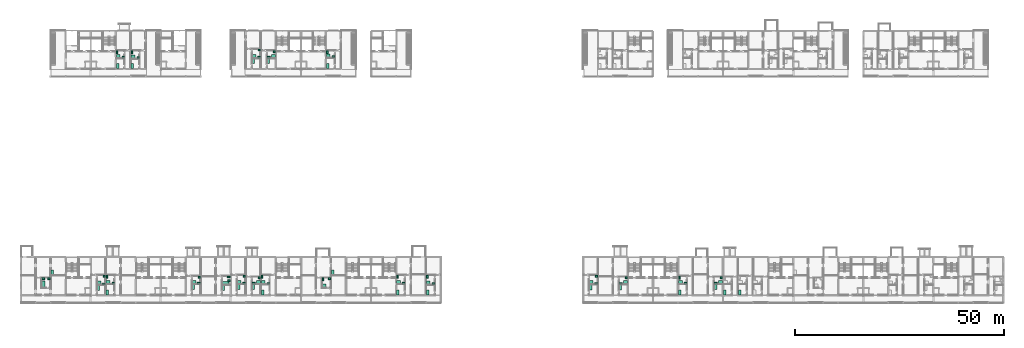
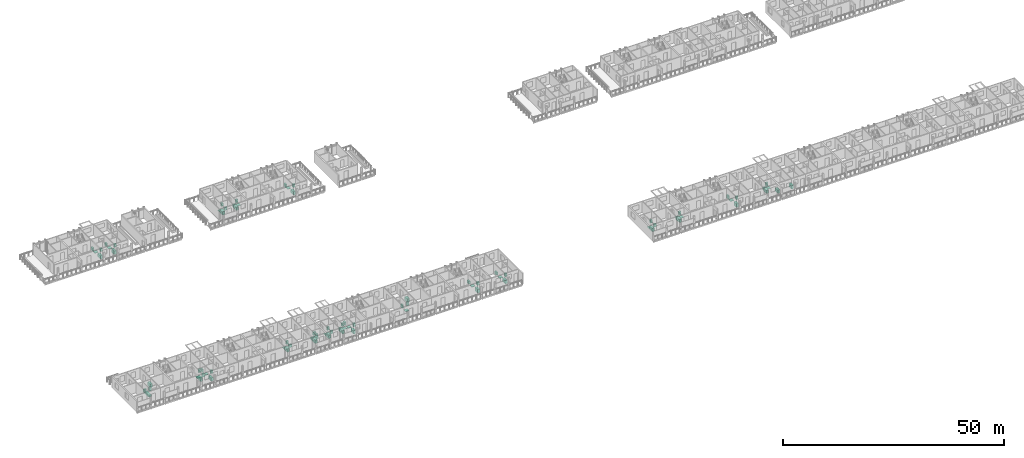
# One storey, part 93 of 94: 82 sanitary terminals.
"""IFC4 building model written with IfcOpenShell, lengths in metres."""

from ifc_helpers import new_model, si_unit, direction, frame, origin, origin_2d, place, context, subcontext, project, spatial, rectangle, extrude, element, save


model = new_model("IFC4")

# Units and contexts
model_context = context("Model", 3, precision=1e-05, world=origin(), true_north=direction((0.0, 1.0)))
body_context = subcontext(model_context, "Body", "Model", "MODEL_VIEW")
ifc_project = project(units=[si_unit("LENGTHUNIT", "METRE"), si_unit("AREAUNIT", "SQUARE_METRE"), si_unit("VOLUMEUNIT", "CUBIC_METRE"), si_unit("PLANEANGLEUNIT", "RADIAN"), si_unit("MASSUNIT", "GRAM", prefix="KILO")], contexts=[model_context])

# Site, building, storey
site_placement = place(None, origin())
site = spatial("IfcSite", under=ifc_project, at=site_placement, CompositionType="ELEMENT")
building_placement = place(site_placement, origin())
building = spatial("IfcBuilding", under=site, at=building_placement, Name="Ridgestep Commons", CompositionType="ELEMENT")
storey_placement = place(building_placement, frame((0.0, 0.0, 24.0)))
storey = spatial("IfcBuildingStorey", under=building, at=storey_placement, Name="L08", CompositionType="ELEMENT", Elevation=24.0)

# Sanitary terminals
sanitary_terminal_1_placement = place(storey_placement, frame((17.485107421875, 16.260009765625, 0.0), z_axis=(0.0, 0.0, 1.0), x_axis=(1.0, 0.0, 0.0)))
element("IfcSanitaryTerminal", 1, at=sanitary_terminal_1_placement, inside=storey, Name="Bath A1-08a", PredefinedType="BATH", context=body_context, shape_type="SweptSolid", body=[
    extrude(rectangle(XDim=0.75, YDim=1.699951171875, at=origin_2d()), origin(), (0.0, 0.0, 1.0), 0.550048828125),
])
sanitary_terminal_2_placement = place(storey_placement, frame((17.4599609375, 17.610107421875, 0.0), z_axis=(0.0, 0.0, 1.0), x_axis=(1.0, 0.0, 0.0)))
element("IfcSanitaryTerminal", 2, at=sanitary_terminal_2_placement, inside=storey, Name="WC A1-08a", PredefinedType="TOILETPAN", context=body_context, shape_type="SweptSolid", body=[
    extrude(rectangle(XDim=0.699951171875, YDim=0.39990234375, at=origin_2d()), origin(), (0.0, 0.0, 1.0), 0.800048828125),
])
sanitary_terminal_3_placement = place(storey_placement, frame((18.824951171875, 17.5849609375, 0.0), z_axis=(0.0, 0.0, 1.0), x_axis=(1.0, 0.0, 0.0)))
element("IfcSanitaryTerminal", 3, at=sanitary_terminal_3_placement, inside=storey, Name="Basin A1-08a", PredefinedType="WASHHANDBASIN", context=body_context, shape_type="SweptSolid", body=[
    extrude(rectangle(XDim=0.550048828125, YDim=0.449951171875, at=origin_2d()), origin(), (0.0, 0.0, 1.0), 0.85009765625),
])
sanitary_terminal_4_placement = place(storey_placement, frame((19.60009765625, 19.06005859375, 0.0), z_axis=(0.0, 0.0, 1.0), x_axis=(1.0, 0.0, 0.0)))
element("IfcSanitaryTerminal", 4, at=sanitary_terminal_4_placement, inside=storey, Name="Kitchen sink A1-08a", PredefinedType="SINK", context=body_context, shape_type="SweptSolid", body=[
    extrude(rectangle(XDim=0.60009765625, YDim=1.199951171875, at=origin_2d()), origin(), (0.0, 0.0, 1.0), 0.89990234375),
])
sanitary_terminal_5_placement = place(storey_placement, frame((30.81005859375, 16.610107421875, 0.0), z_axis=(0.0, 0.0, 1.0), x_axis=(1.0, 0.0, 0.0)))
element("IfcSanitaryTerminal", 5, at=sanitary_terminal_5_placement, inside=storey, Name="Shower tray A2-08a", PredefinedType="SHOWER", context=body_context, shape_type="SweptSolid", body=[
    extrude(rectangle(XDim=0.89990234375, YDim=0.89990234375, at=origin_2d()), origin(), (0.0, 0.0, 1.0), 0.10009765625),
])
sanitary_terminal_6_placement = place(storey_placement, frame((31.949951171875, 16.360107421875, 0.0), z_axis=(0.0, 0.0, 1.0), x_axis=(1.0, 0.0, 0.0)))
element("IfcSanitaryTerminal", 6, at=sanitary_terminal_6_placement, inside=storey, Name="WC A2-08a", PredefinedType="TOILETPAN", context=body_context, shape_type="SweptSolid", body=[
    extrude(rectangle(XDim=0.699951171875, YDim=0.39990234375, at=origin_2d()), origin(), (0.0, 0.0, 1.0), 0.800048828125),
])
sanitary_terminal_7_placement = place(storey_placement, frame((32.02490234375, 18.22509765625, 0.0), z_axis=(0.0, 0.0, 1.0), x_axis=(1.0, 0.0, 0.0)))
element("IfcSanitaryTerminal", 7, at=sanitary_terminal_7_placement, inside=storey, Name="Basin A2-08a", PredefinedType="WASHHANDBASIN", context=body_context, shape_type="SweptSolid", body=[
    extrude(rectangle(XDim=0.550048828125, YDim=0.449951171875, at=origin_2d()), origin(), (0.0, 0.0, 1.0), 0.85009765625),
])
sanitary_terminal_8_placement = place(storey_placement, frame((30.659912109375, 15.449951171875, 0.0), z_axis=(0.0, 0.0, 1.0), x_axis=(1.0, 0.0, 0.0)))
element("IfcSanitaryTerminal", 8, at=sanitary_terminal_8_placement, inside=storey, Name="Kitchen sink A2-08a", PredefinedType="SINK", context=body_context, shape_type="SweptSolid", body=[
    extrude(rectangle(XDim=0.60009765625, YDim=1.199951171875, at=origin_2d()), origin(), (0.0, 0.0, 1.0), 0.89990234375),
])
sanitary_terminal_9_placement = place(storey_placement, frame((32.949951171875, 16.81005859375, 0.0), z_axis=(0.0, 0.0, 1.0), x_axis=(1.0, 0.0, 0.0)))
element("IfcSanitaryTerminal", 9, at=sanitary_terminal_9_placement, inside=storey, Name="Shower tray A2-08b", PredefinedType="SHOWER", context=body_context, shape_type="SweptSolid", body=[
    extrude(rectangle(XDim=0.89990234375, YDim=0.89990234375, at=origin_2d()), origin(), (0.0, 0.0, 1.0), 0.10009765625),
])
sanitary_terminal_10_placement = place(storey_placement, frame((32.699951171875, 18.10009765625, 0.0), z_axis=(0.0, 0.0, 1.0), x_axis=(1.0, 0.0, 0.0)))
element("IfcSanitaryTerminal", 10, at=sanitary_terminal_10_placement, inside=storey, Name="WC A2-08b", PredefinedType="TOILETPAN", context=body_context, shape_type="SweptSolid", body=[
    extrude(rectangle(XDim=0.39990234375, YDim=0.699951171875, at=origin_2d()), origin(), (0.0, 0.0, 1.0), 0.800048828125),
])
sanitary_terminal_11_placement = place(storey_placement, frame((34.215087890625, 16.5849609375, 0.0), z_axis=(0.0, 0.0, 1.0), x_axis=(1.0, 0.0, 0.0)))
element("IfcSanitaryTerminal", 11, at=sanitary_terminal_11_placement, inside=storey, Name="Basin A2-08b", PredefinedType="WASHHANDBASIN", context=body_context, shape_type="SweptSolid", body=[
    extrude(rectangle(XDim=0.550048828125, YDim=0.449951171875, at=origin_2d()), origin(), (0.0, 0.0, 1.0), 0.85009765625),
])
sanitary_terminal_12_placement = place(storey_placement, frame((32.800048828125, 14.35009765625, 0.0), z_axis=(0.0, 0.0, 1.0), x_axis=(1.0, 0.0, 0.0)))
element("IfcSanitaryTerminal", 12, at=sanitary_terminal_12_placement, inside=storey, Name="Kitchen sink A2-08b", PredefinedType="SINK", context=body_context, shape_type="SweptSolid", body=[
    extrude(rectangle(XDim=0.60009765625, YDim=1.199951171875, at=origin_2d()), origin(), (0.0, 0.0, 1.0), 0.89990234375),
])
sanitary_terminal_13_placement = place(storey_placement, frame((61.159912109375, 16.534912109375, 0.0), z_axis=(0.0, 0.0, 1.0), x_axis=(1.0, 0.0, 0.0)))
element("IfcSanitaryTerminal", 13, at=sanitary_terminal_13_placement, inside=storey, Name="Bath A3-08a", PredefinedType="BATH", context=body_context, shape_type="SweptSolid", body=[
    extrude(rectangle(XDim=1.699951171875, YDim=0.75, at=origin_2d()), origin(), (0.0, 0.0, 1.0), 0.550048828125),
])
sanitary_terminal_14_placement = place(storey_placement, frame((61.89990234375, 18.050048828125, 0.0), z_axis=(0.0, 0.0, 1.0), x_axis=(1.0, 0.0, 0.0)))
element("IfcSanitaryTerminal", 14, at=sanitary_terminal_14_placement, inside=storey, Name="WC A3-08a", PredefinedType="TOILETPAN", context=body_context, shape_type="SweptSolid", body=[
    extrude(rectangle(XDim=0.699951171875, YDim=0.39990234375, at=origin_2d()), origin(), (0.0, 0.0, 1.0), 0.800048828125),
])
sanitary_terminal_15_placement = place(storey_placement, frame((61.97509765625, 17.18505859375, 0.0), z_axis=(0.0, 0.0, 1.0), x_axis=(1.0, 0.0, 0.0)))
element("IfcSanitaryTerminal", 15, at=sanitary_terminal_15_placement, inside=storey, Name="Basin A3-08a", PredefinedType="WASHHANDBASIN", context=body_context, shape_type="SweptSolid", body=[
    extrude(rectangle(XDim=0.550048828125, YDim=0.449951171875, at=origin_2d()), origin(), (0.0, 0.0, 1.0), 0.85009765625),
])
sanitary_terminal_16_placement = place(storey_placement, frame((60.610107421875, 15.449951171875, 0.0), z_axis=(0.0, 0.0, 1.0), x_axis=(1.0, 0.0, 0.0)))
element("IfcSanitaryTerminal", 16, at=sanitary_terminal_16_placement, inside=storey, Name="Kitchen sink A3-08a", PredefinedType="SINK", context=body_context, shape_type="SweptSolid", body=[
    extrude(rectangle(XDim=0.60009765625, YDim=1.199951171875, at=origin_2d()), origin(), (0.0, 0.0, 1.0), 0.89990234375),
])
sanitary_terminal_17_placement = place(storey_placement, frame((53.5849609375, 16.81005859375, 0.0), z_axis=(0.0, 0.0, 1.0), x_axis=(1.0, 0.0, 0.0)))
element("IfcSanitaryTerminal", 17, at=sanitary_terminal_17_placement, inside=storey, Name="Shower tray A3-08b", PredefinedType="SHOWER", context=body_context, shape_type="SweptSolid", body=[
    extrude(rectangle(XDim=0.89990234375, YDim=0.89990234375, at=origin_2d()), origin(), (0.0, 0.0, 1.0), 0.10009765625),
])
sanitary_terminal_18_placement = place(storey_placement, frame((54.75, 16.56005859375, 0.0), z_axis=(0.0, 0.0, 1.0), x_axis=(1.0, 0.0, 0.0)))
element("IfcSanitaryTerminal", 18, at=sanitary_terminal_18_placement, inside=storey, Name="WC A3-08b", PredefinedType="TOILETPAN", context=body_context, shape_type="SweptSolid", body=[
    extrude(rectangle(XDim=0.699951171875, YDim=0.39990234375, at=origin_2d()), origin(), (0.0, 0.0, 1.0), 0.800048828125),
])
sanitary_terminal_19_placement = place(storey_placement, frame((54.824951171875, 18.02490234375, 0.0), z_axis=(0.0, 0.0, 1.0), x_axis=(1.0, 0.0, 0.0)))
element("IfcSanitaryTerminal", 19, at=sanitary_terminal_19_placement, inside=storey, Name="Basin A3-08b", PredefinedType="WASHHANDBASIN", context=body_context, shape_type="SweptSolid", body=[
    extrude(rectangle(XDim=0.550048828125, YDim=0.449951171875, at=origin_2d()), origin(), (0.0, 0.0, 1.0), 0.85009765625),
])
sanitary_terminal_20_placement = place(storey_placement, frame((53.43505859375, 15.64990234375, 0.0), z_axis=(0.0, 0.0, 1.0), x_axis=(1.0, 0.0, 0.0)))
element("IfcSanitaryTerminal", 20, at=sanitary_terminal_20_placement, inside=storey, Name="Kitchen sink A3-08b", PredefinedType="SINK", context=body_context, shape_type="SweptSolid", body=[
    extrude(rectangle(XDim=0.60009765625, YDim=1.199951171875, at=origin_2d()), origin(), (0.0, 0.0, 1.0), 0.89990234375),
])
sanitary_terminal_21_placement = place(storey_placement, frame((64.409912109375, 16.81005859375, 0.0), z_axis=(0.0, 0.0, 1.0), x_axis=(1.0, 0.0, 0.0)))
element("IfcSanitaryTerminal", 21, at=sanitary_terminal_21_placement, inside=storey, Name="Shower tray A4-08a", PredefinedType="SHOWER", context=body_context, shape_type="SweptSolid", body=[
    extrude(rectangle(XDim=0.89990234375, YDim=0.89990234375, at=origin_2d()), origin(), (0.0, 0.0, 1.0), 0.10009765625),
])
sanitary_terminal_22_placement = place(storey_placement, frame((65.550048828125, 16.56005859375, 0.0), z_axis=(0.0, 0.0, 1.0), x_axis=(1.0, 0.0, 0.0)))
element("IfcSanitaryTerminal", 22, at=sanitary_terminal_22_placement, inside=storey, Name="WC A4-08a", PredefinedType="TOILETPAN", context=body_context, shape_type="SweptSolid", body=[
    extrude(rectangle(XDim=0.699951171875, YDim=0.39990234375, at=origin_2d()), origin(), (0.0, 0.0, 1.0), 0.800048828125),
])
sanitary_terminal_23_placement = place(storey_placement, frame((65.625, 18.22509765625, 0.0), z_axis=(0.0, 0.0, 1.0), x_axis=(1.0, 0.0, 0.0)))
element("IfcSanitaryTerminal", 23, at=sanitary_terminal_23_placement, inside=storey, Name="Basin A4-08a", PredefinedType="WASHHANDBASIN", context=body_context, shape_type="SweptSolid", body=[
    extrude(rectangle(XDim=0.550048828125, YDim=0.449951171875, at=origin_2d()), origin(), (0.0, 0.0, 1.0), 0.85009765625),
])
sanitary_terminal_24_placement = place(storey_placement, frame((64.260009765625, 15.64990234375, 0.0), z_axis=(0.0, 0.0, 1.0), x_axis=(1.0, 0.0, 0.0)))
element("IfcSanitaryTerminal", 24, at=sanitary_terminal_24_placement, inside=storey, Name="Kitchen sink A4-08a", PredefinedType="SINK", context=body_context, shape_type="SweptSolid", body=[
    extrude(rectangle(XDim=0.60009765625, YDim=1.199951171875, at=origin_2d()), origin(), (0.0, 0.0, 1.0), 0.89990234375),
])
sanitary_terminal_25_placement = place(storey_placement, frame((69.050048828125, 16.81005859375, 0.0), z_axis=(0.0, 0.0, 1.0), x_axis=(1.0, 0.0, 0.0)))
element("IfcSanitaryTerminal", 25, at=sanitary_terminal_25_placement, inside=storey, Name="Shower tray A4-08b", PredefinedType="SHOWER", context=body_context, shape_type="SweptSolid", body=[
    extrude(rectangle(XDim=0.89990234375, YDim=0.89990234375, at=origin_2d()), origin(), (0.0, 0.0, 1.0), 0.10009765625),
])
sanitary_terminal_26_placement = place(storey_placement, frame((67.860107421875, 16.56005859375, 0.0), z_axis=(0.0, 0.0, 1.0), x_axis=(1.0, 0.0, 0.0)))
element("IfcSanitaryTerminal", 26, at=sanitary_terminal_26_placement, inside=storey, Name="WC A4-08b", PredefinedType="TOILETPAN", context=body_context, shape_type="SweptSolid", body=[
    extrude(rectangle(XDim=0.699951171875, YDim=0.39990234375, at=origin_2d()), origin(), (0.0, 0.0, 1.0), 0.800048828125),
])
sanitary_terminal_27_placement = place(storey_placement, frame((69.22509765625, 17.824951171875, 0.0), z_axis=(0.0, 0.0, 1.0), x_axis=(1.0, 0.0, 0.0)))
element("IfcSanitaryTerminal", 27, at=sanitary_terminal_27_placement, inside=storey, Name="Basin A4-08b", PredefinedType="WASHHANDBASIN", context=body_context, shape_type="SweptSolid", body=[
    extrude(rectangle(XDim=0.550048828125, YDim=0.449951171875, at=origin_2d()), origin(), (0.0, 0.0, 1.0), 0.85009765625),
])
sanitary_terminal_28_placement = place(storey_placement, frame((67.81005859375, 15.64990234375, 0.0), z_axis=(0.0, 0.0, 1.0), x_axis=(1.0, 0.0, 0.0)))
element("IfcSanitaryTerminal", 28, at=sanitary_terminal_28_placement, inside=storey, Name="Kitchen sink A4-08b", PredefinedType="SINK", context=body_context, shape_type="SweptSolid", body=[
    extrude(rectangle(XDim=0.60009765625, YDim=1.199951171875, at=origin_2d()), origin(), (0.0, 0.0, 1.0), 0.89990234375),
])
sanitary_terminal_29_placement = place(storey_placement, frame((70.14990234375, 16.7099609375, 0.0), z_axis=(0.0, 0.0, 1.0), x_axis=(1.0, 0.0, 0.0)))
element("IfcSanitaryTerminal", 29, at=sanitary_terminal_29_placement, inside=storey, Name="Shower tray A4-08c", PredefinedType="SHOWER", context=body_context, shape_type="SweptSolid", body=[
    extrude(rectangle(XDim=0.89990234375, YDim=0.89990234375, at=origin_2d()), origin(), (0.0, 0.0, 1.0), 0.10009765625),
])
sanitary_terminal_30_placement = place(storey_placement, frame((69.89990234375, 18.10009765625, 0.0), z_axis=(0.0, 0.0, 1.0), x_axis=(1.0, 0.0, 0.0)))
element("IfcSanitaryTerminal", 30, at=sanitary_terminal_30_placement, inside=storey, Name="WC A4-08c", PredefinedType="TOILETPAN", context=body_context, shape_type="SweptSolid", body=[
    extrude(rectangle(XDim=0.39990234375, YDim=0.699951171875, at=origin_2d()), origin(), (0.0, 0.0, 1.0), 0.800048828125),
])
sanitary_terminal_31_placement = place(storey_placement, frame((71.389892578125, 16.485107421875, 0.0), z_axis=(0.0, 0.0, 1.0), x_axis=(1.0, 0.0, 0.0)))
element("IfcSanitaryTerminal", 31, at=sanitary_terminal_31_placement, inside=storey, Name="Basin A4-08c", PredefinedType="WASHHANDBASIN", context=body_context, shape_type="SweptSolid", body=[
    extrude(rectangle(XDim=0.550048828125, YDim=0.449951171875, at=origin_2d()), origin(), (0.0, 0.0, 1.0), 0.85009765625),
])
sanitary_terminal_32_placement = place(storey_placement, frame((70.0, 14.35009765625, 0.0), z_axis=(0.0, 0.0, 1.0), x_axis=(1.0, 0.0, 0.0)))
element("IfcSanitaryTerminal", 32, at=sanitary_terminal_32_placement, inside=storey, Name="Kitchen sink A4-08c", PredefinedType="SINK", context=body_context, shape_type="SweptSolid", body=[
    extrude(rectangle(XDim=0.60009765625, YDim=1.199951171875, at=origin_2d()), origin(), (0.0, 0.0, 1.0), 0.89990234375),
])
sanitary_terminal_33_placement = place(storey_placement, frame((84.760009765625, 15.860107421875, 0.0), z_axis=(0.0, 0.0, 1.0), x_axis=(1.0, 0.0, 0.0)))
element("IfcSanitaryTerminal", 33, at=sanitary_terminal_33_placement, inside=storey, Name="Shower tray A5-08a", PredefinedType="SHOWER", context=body_context, shape_type="SweptSolid", body=[
    extrude(rectangle(XDim=0.89990234375, YDim=0.89990234375, at=origin_2d()), origin(), (0.0, 0.0, 1.0), 0.10009765625),
])
sanitary_terminal_34_placement = place(storey_placement, frame((84.510009765625, 17.4599609375, 0.0), z_axis=(0.0, 0.0, 1.0), x_axis=(1.0, 0.0, 0.0)))
element("IfcSanitaryTerminal", 34, at=sanitary_terminal_34_placement, inside=storey, Name="WC A5-08a", PredefinedType="TOILETPAN", context=body_context, shape_type="SweptSolid", body=[
    extrude(rectangle(XDim=0.39990234375, YDim=0.699951171875, at=origin_2d()), origin(), (0.0, 0.0, 1.0), 0.800048828125),
])
sanitary_terminal_35_placement = place(storey_placement, frame((86.02490234375, 17.5849609375, 0.0), z_axis=(0.0, 0.0, 1.0), x_axis=(1.0, 0.0, 0.0)))
element("IfcSanitaryTerminal", 35, at=sanitary_terminal_35_placement, inside=storey, Name="Basin A5-08a", PredefinedType="WASHHANDBASIN", context=body_context, shape_type="SweptSolid", body=[
    extrude(rectangle(XDim=0.550048828125, YDim=0.449951171875, at=origin_2d()), origin(), (0.0, 0.0, 1.0), 0.85009765625),
])
sanitary_terminal_36_placement = place(storey_placement, frame((86.800048828125, 19.06005859375, 0.0), z_axis=(0.0, 0.0, 1.0), x_axis=(1.0, 0.0, 0.0)))
element("IfcSanitaryTerminal", 36, at=sanitary_terminal_36_placement, inside=storey, Name="Kitchen sink A5-08a", PredefinedType="SINK", context=body_context, shape_type="SweptSolid", body=[
    extrude(rectangle(XDim=0.60009765625, YDim=1.199951171875, at=origin_2d()), origin(), (0.0, 0.0, 1.0), 0.89990234375),
])
sanitary_terminal_37_placement = place(storey_placement, frame((109.75, 16.610107421875, 0.0), z_axis=(0.0, 0.0, 1.0), x_axis=(1.0, 0.0, 0.0)))
element("IfcSanitaryTerminal", 37, at=sanitary_terminal_37_placement, inside=storey, Name="Shower tray A6-08a", PredefinedType="SHOWER", context=body_context, shape_type="SweptSolid", body=[
    extrude(rectangle(XDim=0.89990234375, YDim=0.89990234375, at=origin_2d()), origin(), (0.0, 0.0, 1.0), 0.10009765625),
])
sanitary_terminal_38_placement = place(storey_placement, frame((109.5, 18.10009765625, 0.0), z_axis=(0.0, 0.0, 1.0), x_axis=(1.0, 0.0, 0.0)))
element("IfcSanitaryTerminal", 38, at=sanitary_terminal_38_placement, inside=storey, Name="WC A6-08a", PredefinedType="TOILETPAN", context=body_context, shape_type="SweptSolid", body=[
    extrude(rectangle(XDim=0.39990234375, YDim=0.699951171875, at=origin_2d()), origin(), (0.0, 0.0, 1.0), 0.800048828125),
])
sanitary_terminal_39_placement = place(storey_placement, frame((110.965087890625, 16.385009765625, 0.0), z_axis=(0.0, 0.0, 1.0), x_axis=(1.0, 0.0, 0.0)))
element("IfcSanitaryTerminal", 39, at=sanitary_terminal_39_placement, inside=storey, Name="Basin A6-08a", PredefinedType="WASHHANDBASIN", context=body_context, shape_type="SweptSolid", body=[
    extrude(rectangle(XDim=0.550048828125, YDim=0.449951171875, at=origin_2d()), origin(), (0.0, 0.0, 1.0), 0.85009765625),
])
sanitary_terminal_40_placement = place(storey_placement, frame((109.60009765625, 14.35009765625, 0.0), z_axis=(0.0, 0.0, 1.0), x_axis=(1.0, 0.0, 0.0)))
element("IfcSanitaryTerminal", 40, at=sanitary_terminal_40_placement, inside=storey, Name="Kitchen sink A6-08a", PredefinedType="SINK", context=body_context, shape_type="SweptSolid", body=[
    extrude(rectangle(XDim=0.60009765625, YDim=1.199951171875, at=origin_2d()), origin(), (0.0, 0.0, 1.0), 0.89990234375),
])
sanitary_terminal_41_placement = place(storey_placement, frame((102.574951171875, 16.81005859375, 0.0), z_axis=(0.0, 0.0, 1.0), x_axis=(1.0, 0.0, 0.0)))
element("IfcSanitaryTerminal", 41, at=sanitary_terminal_41_placement, inside=storey, Name="Shower tray A6-08b", PredefinedType="SHOWER", context=body_context, shape_type="SweptSolid", body=[
    extrude(rectangle(XDim=0.89990234375, YDim=0.89990234375, at=origin_2d()), origin(), (0.0, 0.0, 1.0), 0.10009765625),
])
sanitary_terminal_42_placement = place(storey_placement, frame((102.324951171875, 18.10009765625, 0.0), z_axis=(0.0, 0.0, 1.0), x_axis=(1.0, 0.0, 0.0)))
element("IfcSanitaryTerminal", 42, at=sanitary_terminal_42_placement, inside=storey, Name="WC A6-08b", PredefinedType="TOILETPAN", context=body_context, shape_type="SweptSolid", body=[
    extrude(rectangle(XDim=0.39990234375, YDim=0.699951171875, at=origin_2d()), origin(), (0.0, 0.0, 1.0), 0.800048828125),
])
sanitary_terminal_43_placement = place(storey_placement, frame((103.81494140625, 16.5849609375, 0.0), z_axis=(0.0, 0.0, 1.0), x_axis=(1.0, 0.0, 0.0)))
element("IfcSanitaryTerminal", 43, at=sanitary_terminal_43_placement, inside=storey, Name="Basin A6-08b", PredefinedType="WASHHANDBASIN", context=body_context, shape_type="SweptSolid", body=[
    extrude(rectangle(XDim=0.550048828125, YDim=0.449951171875, at=origin_2d()), origin(), (0.0, 0.0, 1.0), 0.85009765625),
])
sanitary_terminal_44_placement = place(storey_placement, frame((102.425048828125, 14.35009765625, 0.0), z_axis=(0.0, 0.0, 1.0), x_axis=(1.0, 0.0, 0.0)))
element("IfcSanitaryTerminal", 44, at=sanitary_terminal_44_placement, inside=storey, Name="Kitchen sink A6-08b", PredefinedType="SINK", context=body_context, shape_type="SweptSolid", body=[
    extrude(rectangle(XDim=0.60009765625, YDim=1.199951171875, at=origin_2d()), origin(), (0.0, 0.0, 1.0), 0.89990234375),
])
sanitary_terminal_45_placement = place(storey_placement, frame((38.949951171875, 70.860107421875, 0.0), z_axis=(0.0, 0.0, 1.0), x_axis=(1.0, 0.0, 0.0)))
element("IfcSanitaryTerminal", 45, at=sanitary_terminal_45_placement, inside=storey, Name="Shower tray B2-08a", PredefinedType="SHOWER", context=body_context, shape_type="SweptSolid", body=[
    extrude(rectangle(XDim=0.89990234375, YDim=0.89990234375, at=origin_2d()), origin(), (0.0, 0.0, 1.0), 0.10009765625),
])
sanitary_terminal_46_placement = place(storey_placement, frame((38.699951171875, 71.949951171875, 0.0), z_axis=(0.0, 0.0, 1.0), x_axis=(1.0, 0.0, 0.0)))
element("IfcSanitaryTerminal", 46, at=sanitary_terminal_46_placement, inside=storey, Name="WC B2-08a", PredefinedType="TOILETPAN", context=body_context, shape_type="SweptSolid", body=[
    extrude(rectangle(XDim=0.39990234375, YDim=0.699951171875, at=origin_2d()), origin(), (0.0, 0.0, 1.0), 0.800048828125),
])
sanitary_terminal_47_placement = place(storey_placement, frame((40.215087890625, 70.635009765625, 0.0), z_axis=(0.0, 0.0, 1.0), x_axis=(1.0, 0.0, 0.0)))
element("IfcSanitaryTerminal", 47, at=sanitary_terminal_47_placement, inside=storey, Name="Basin B2-08a", PredefinedType="WASHHANDBASIN", context=body_context, shape_type="SweptSolid", body=[
    extrude(rectangle(XDim=0.550048828125, YDim=0.449951171875, at=origin_2d()), origin(), (0.0, 0.0, 1.0), 0.85009765625),
])
sanitary_terminal_48_placement = place(storey_placement, frame((38.800048828125, 68.60009765625, 0.0), z_axis=(0.0, 0.0, 1.0), x_axis=(1.0, 0.0, 0.0)))
element("IfcSanitaryTerminal", 48, at=sanitary_terminal_48_placement, inside=storey, Name="Kitchen sink B2-08a", PredefinedType="SINK", context=body_context, shape_type="SweptSolid", body=[
    extrude(rectangle(XDim=0.60009765625, YDim=1.199951171875, at=origin_2d()), origin(), (0.0, 0.0, 1.0), 0.89990234375),
])
sanitary_terminal_49_placement = place(storey_placement, frame((35.375, 70.9599609375, 0.0), z_axis=(0.0, 0.0, 1.0), x_axis=(1.0, 0.0, 0.0)))
element("IfcSanitaryTerminal", 49, at=sanitary_terminal_49_placement, inside=storey, Name="Shower tray B2-08b", PredefinedType="SHOWER", context=body_context, shape_type="SweptSolid", body=[
    extrude(rectangle(XDim=0.89990234375, YDim=0.89990234375, at=origin_2d()), origin(), (0.0, 0.0, 1.0), 0.10009765625),
])
sanitary_terminal_50_placement = place(storey_placement, frame((35.125, 71.949951171875, 0.0), z_axis=(0.0, 0.0, 1.0), x_axis=(1.0, 0.0, 0.0)))
element("IfcSanitaryTerminal", 50, at=sanitary_terminal_50_placement, inside=storey, Name="WC B2-08b", PredefinedType="TOILETPAN", context=body_context, shape_type="SweptSolid", body=[
    extrude(rectangle(XDim=0.39990234375, YDim=0.699951171875, at=origin_2d()), origin(), (0.0, 0.0, 1.0), 0.800048828125),
])
sanitary_terminal_51_placement = place(storey_placement, frame((36.614990234375, 70.735107421875, 0.0), z_axis=(0.0, 0.0, 1.0), x_axis=(1.0, 0.0, 0.0)))
element("IfcSanitaryTerminal", 51, at=sanitary_terminal_51_placement, inside=storey, Name="Basin B2-08b", PredefinedType="WASHHANDBASIN", context=body_context, shape_type="SweptSolid", body=[
    extrude(rectangle(XDim=0.550048828125, YDim=0.449951171875, at=origin_2d()), origin(), (0.0, 0.0, 1.0), 0.85009765625),
])
sanitary_terminal_52_placement = place(storey_placement, frame((35.22509765625, 68.60009765625, 0.0), z_axis=(0.0, 0.0, 1.0), x_axis=(1.0, 0.0, 0.0)))
element("IfcSanitaryTerminal", 52, at=sanitary_terminal_52_placement, inside=storey, Name="Kitchen sink B2-08b", PredefinedType="SINK", context=body_context, shape_type="SweptSolid", body=[
    extrude(rectangle(XDim=0.60009765625, YDim=1.199951171875, at=origin_2d()), origin(), (0.0, 0.0, 1.0), 0.89990234375),
])
sanitary_terminal_53_placement = place(storey_placement, frame((67.9599609375, 70.9599609375, 0.0), z_axis=(0.0, 0.0, 1.0), x_axis=(1.0, 0.0, 0.0)))
element("IfcSanitaryTerminal", 53, at=sanitary_terminal_53_placement, inside=storey, Name="Shower tray B4-08a", PredefinedType="SHOWER", context=body_context, shape_type="SweptSolid", body=[
    extrude(rectangle(XDim=0.89990234375, YDim=0.89990234375, at=origin_2d()), origin(), (0.0, 0.0, 1.0), 0.10009765625),
])
sanitary_terminal_54_placement = place(storey_placement, frame((69.14990234375, 70.7099609375, 0.0), z_axis=(0.0, 0.0, 1.0), x_axis=(1.0, 0.0, 0.0)))
element("IfcSanitaryTerminal", 54, at=sanitary_terminal_54_placement, inside=storey, Name="WC B4-08a", PredefinedType="TOILETPAN", context=body_context, shape_type="SweptSolid", body=[
    extrude(rectangle(XDim=0.699951171875, YDim=0.39990234375, at=origin_2d()), origin(), (0.0, 0.0, 1.0), 0.800048828125),
])
sanitary_terminal_55_placement = place(storey_placement, frame((69.22509765625, 72.47509765625, 0.0), z_axis=(0.0, 0.0, 1.0), x_axis=(1.0, 0.0, 0.0)))
element("IfcSanitaryTerminal", 55, at=sanitary_terminal_55_placement, inside=storey, Name="Basin B4-08a", PredefinedType="WASHHANDBASIN", context=body_context, shape_type="SweptSolid", body=[
    extrude(rectangle(XDim=0.550048828125, YDim=0.449951171875, at=origin_2d()), origin(), (0.0, 0.0, 1.0), 0.85009765625),
])
sanitary_terminal_56_placement = place(storey_placement, frame((67.81005859375, 69.800048828125, 0.0), z_axis=(0.0, 0.0, 1.0), x_axis=(1.0, 0.0, 0.0)))
element("IfcSanitaryTerminal", 56, at=sanitary_terminal_56_placement, inside=storey, Name="Kitchen sink B4-08a", PredefinedType="SINK", context=body_context, shape_type="SweptSolid", body=[
    extrude(rectangle(XDim=0.60009765625, YDim=1.199951171875, at=origin_2d()), origin(), (0.0, 0.0, 1.0), 0.89990234375),
])
sanitary_terminal_57_placement = place(storey_placement, frame((72.625, 70.9599609375, 0.0), z_axis=(0.0, 0.0, 1.0), x_axis=(1.0, 0.0, 0.0)))
element("IfcSanitaryTerminal", 57, at=sanitary_terminal_57_placement, inside=storey, Name="Shower tray B4-08b", PredefinedType="SHOWER", context=body_context, shape_type="SweptSolid", body=[
    extrude(rectangle(XDim=0.89990234375, YDim=0.89990234375, at=origin_2d()), origin(), (0.0, 0.0, 1.0), 0.10009765625),
])
sanitary_terminal_58_placement = place(storey_placement, frame((71.4599609375, 70.7099609375, 0.0), z_axis=(0.0, 0.0, 1.0), x_axis=(1.0, 0.0, 0.0)))
element("IfcSanitaryTerminal", 58, at=sanitary_terminal_58_placement, inside=storey, Name="WC B4-08b", PredefinedType="TOILETPAN", context=body_context, shape_type="SweptSolid", body=[
    extrude(rectangle(XDim=0.699951171875, YDim=0.39990234375, at=origin_2d()), origin(), (0.0, 0.0, 1.0), 0.800048828125),
])
sanitary_terminal_59_placement = place(storey_placement, frame((72.800048828125, 72.074951171875, 0.0), z_axis=(0.0, 0.0, 1.0), x_axis=(1.0, 0.0, 0.0)))
element("IfcSanitaryTerminal", 59, at=sanitary_terminal_59_placement, inside=storey, Name="Basin B4-08b", PredefinedType="WASHHANDBASIN", context=body_context, shape_type="SweptSolid", body=[
    extrude(rectangle(XDim=0.550048828125, YDim=0.449951171875, at=origin_2d()), origin(), (0.0, 0.0, 1.0), 0.85009765625),
])
sanitary_terminal_60_placement = place(storey_placement, frame((71.409912109375, 69.800048828125, 0.0), z_axis=(0.0, 0.0, 1.0), x_axis=(1.0, 0.0, 0.0)))
element("IfcSanitaryTerminal", 60, at=sanitary_terminal_60_placement, inside=storey, Name="Kitchen sink B4-08b", PredefinedType="SINK", context=body_context, shape_type="SweptSolid", body=[
    extrude(rectangle(XDim=0.60009765625, YDim=1.199951171875, at=origin_2d()), origin(), (0.0, 0.0, 1.0), 0.89990234375),
])
sanitary_terminal_61_placement = place(storey_placement, frame((85.77490234375, 71.06005859375, 0.0), z_axis=(0.0, 0.0, 1.0), x_axis=(1.0, 0.0, 0.0)))
element("IfcSanitaryTerminal", 61, at=sanitary_terminal_61_placement, inside=storey, Name="Shower tray B5-08a", PredefinedType="SHOWER", context=body_context, shape_type="SweptSolid", body=[
    extrude(rectangle(XDim=0.89990234375, YDim=0.89990234375, at=origin_2d()), origin(), (0.0, 0.0, 1.0), 0.10009765625),
])
sanitary_terminal_62_placement = place(storey_placement, frame((85.52490234375, 71.949951171875, 0.0), z_axis=(0.0, 0.0, 1.0), x_axis=(1.0, 0.0, 0.0)))
element("IfcSanitaryTerminal", 62, at=sanitary_terminal_62_placement, inside=storey, Name="WC B5-08a", PredefinedType="TOILETPAN", context=body_context, shape_type="SweptSolid", body=[
    extrude(rectangle(XDim=0.39990234375, YDim=0.699951171875, at=origin_2d()), origin(), (0.0, 0.0, 1.0), 0.800048828125),
])
sanitary_terminal_63_placement = place(storey_placement, frame((87.014892578125, 70.8349609375, 0.0), z_axis=(0.0, 0.0, 1.0), x_axis=(1.0, 0.0, 0.0)))
element("IfcSanitaryTerminal", 63, at=sanitary_terminal_63_placement, inside=storey, Name="Basin B5-08a", PredefinedType="WASHHANDBASIN", context=body_context, shape_type="SweptSolid", body=[
    extrude(rectangle(XDim=0.550048828125, YDim=0.449951171875, at=origin_2d()), origin(), (0.0, 0.0, 1.0), 0.85009765625),
])
sanitary_terminal_64_placement = place(storey_placement, frame((85.625, 68.60009765625, 0.0), z_axis=(0.0, 0.0, 1.0), x_axis=(1.0, 0.0, 0.0)))
element("IfcSanitaryTerminal", 64, at=sanitary_terminal_64_placement, inside=storey, Name="Kitchen sink B5-08a", PredefinedType="SINK", context=body_context, shape_type="SweptSolid", body=[
    extrude(rectangle(XDim=0.60009765625, YDim=1.199951171875, at=origin_2d()), origin(), (0.0, 0.0, 1.0), 0.89990234375),
])
sanitary_terminal_65_placement = place(storey_placement, frame((148.81005859375, 16.7099609375, 0.0), z_axis=(0.0, 0.0, 1.0), x_axis=(1.0, 0.0, 0.0)))
element("IfcSanitaryTerminal", 65, at=sanitary_terminal_65_placement, inside=storey, Name="Shower tray D1-08a", PredefinedType="SHOWER", context=body_context, shape_type="SweptSolid", body=[
    extrude(rectangle(XDim=0.89990234375, YDim=0.89990234375, at=origin_2d()), origin(), (0.0, 0.0, 1.0), 0.10009765625),
])
sanitary_terminal_66_placement = place(storey_placement, frame((149.949951171875, 16.4599609375, 0.0), z_axis=(0.0, 0.0, 1.0), x_axis=(1.0, 0.0, 0.0)))
element("IfcSanitaryTerminal", 66, at=sanitary_terminal_66_placement, inside=storey, Name="WC D1-08a", PredefinedType="TOILETPAN", context=body_context, shape_type="SweptSolid", body=[
    extrude(rectangle(XDim=0.699951171875, YDim=0.39990234375, at=origin_2d()), origin(), (0.0, 0.0, 1.0), 0.800048828125),
])
sanitary_terminal_67_placement = place(storey_placement, frame((150.02490234375, 18.22509765625, 0.0), z_axis=(0.0, 0.0, 1.0), x_axis=(1.0, 0.0, 0.0)))
element("IfcSanitaryTerminal", 67, at=sanitary_terminal_67_placement, inside=storey, Name="Basin D1-08a", PredefinedType="WASHHANDBASIN", context=body_context, shape_type="SweptSolid", body=[
    extrude(rectangle(XDim=0.550048828125, YDim=0.449951171875, at=origin_2d()), origin(), (0.0, 0.0, 1.0), 0.85009765625),
])
sanitary_terminal_68_placement = place(storey_placement, frame((148.659912109375, 15.550048828125, 0.0), z_axis=(0.0, 0.0, 1.0), x_axis=(1.0, 0.0, 0.0)))
element("IfcSanitaryTerminal", 68, at=sanitary_terminal_68_placement, inside=storey, Name="Kitchen sink D1-08a", PredefinedType="SINK", context=body_context, shape_type="SweptSolid", body=[
    extrude(rectangle(XDim=0.60009765625, YDim=1.199951171875, at=origin_2d()), origin(), (0.0, 0.0, 1.0), 0.89990234375),
])
sanitary_terminal_69_placement = place(storey_placement, frame((157.02490234375, 16.7099609375, 0.0), z_axis=(0.0, 0.0, 1.0), x_axis=(1.0, 0.0, 0.0)))
element("IfcSanitaryTerminal", 69, at=sanitary_terminal_69_placement, inside=storey, Name="Shower tray D1-08b", PredefinedType="SHOWER", context=body_context, shape_type="SweptSolid", body=[
    extrude(rectangle(XDim=0.89990234375, YDim=0.89990234375, at=origin_2d()), origin(), (0.0, 0.0, 1.0), 0.10009765625),
])
sanitary_terminal_70_placement = place(storey_placement, frame((155.860107421875, 16.4599609375, 0.0), z_axis=(0.0, 0.0, 1.0), x_axis=(1.0, 0.0, 0.0)))
element("IfcSanitaryTerminal", 70, at=sanitary_terminal_70_placement, inside=storey, Name="WC D1-08b", PredefinedType="TOILETPAN", context=body_context, shape_type="SweptSolid", body=[
    extrude(rectangle(XDim=0.699951171875, YDim=0.39990234375, at=origin_2d()), origin(), (0.0, 0.0, 1.0), 0.800048828125),
])
sanitary_terminal_71_placement = place(storey_placement, frame((157.199951171875, 17.824951171875, 0.0), z_axis=(0.0, 0.0, 1.0), x_axis=(1.0, 0.0, 0.0)))
element("IfcSanitaryTerminal", 71, at=sanitary_terminal_71_placement, inside=storey, Name="Basin D1-08b", PredefinedType="WASHHANDBASIN", context=body_context, shape_type="SweptSolid", body=[
    extrude(rectangle(XDim=0.550048828125, YDim=0.449951171875, at=origin_2d()), origin(), (0.0, 0.0, 1.0), 0.85009765625),
])
sanitary_terminal_72_placement = place(storey_placement, frame((155.81005859375, 15.550048828125, 0.0), z_axis=(0.0, 0.0, 1.0), x_axis=(1.0, 0.0, 0.0)))
element("IfcSanitaryTerminal", 72, at=sanitary_terminal_72_placement, inside=storey, Name="Kitchen sink D1-08b", PredefinedType="SINK", context=body_context, shape_type="SweptSolid", body=[
    extrude(rectangle(XDim=0.60009765625, YDim=1.199951171875, at=origin_2d()), origin(), (0.0, 0.0, 1.0), 0.89990234375),
])
sanitary_terminal_73_placement = place(storey_placement, frame((179.800048828125, 16.81005859375, 0.0), z_axis=(0.0, 0.0, 1.0), x_axis=(1.0, 0.0, 0.0)))
element("IfcSanitaryTerminal", 73, at=sanitary_terminal_73_placement, inside=storey, Name="Shower tray D2-08a", PredefinedType="SHOWER", context=body_context, shape_type="SweptSolid", body=[
    extrude(rectangle(XDim=0.89990234375, YDim=0.89990234375, at=origin_2d()), origin(), (0.0, 0.0, 1.0), 0.10009765625),
])
sanitary_terminal_74_placement = place(storey_placement, frame((178.659912109375, 16.56005859375, 0.0), z_axis=(0.0, 0.0, 1.0), x_axis=(1.0, 0.0, 0.0)))
element("IfcSanitaryTerminal", 74, at=sanitary_terminal_74_placement, inside=storey, Name="WC D2-08a", PredefinedType="TOILETPAN", context=body_context, shape_type="SweptSolid", body=[
    extrude(rectangle(XDim=0.699951171875, YDim=0.39990234375, at=origin_2d()), origin(), (0.0, 0.0, 1.0), 0.800048828125),
])
sanitary_terminal_75_placement = place(storey_placement, frame((179.97509765625, 17.824951171875, 0.0), z_axis=(0.0, 0.0, 1.0), x_axis=(1.0, 0.0, 0.0)))
element("IfcSanitaryTerminal", 75, at=sanitary_terminal_75_placement, inside=storey, Name="Basin D2-08a", PredefinedType="WASHHANDBASIN", context=body_context, shape_type="SweptSolid", body=[
    extrude(rectangle(XDim=0.550048828125, YDim=0.449951171875, at=origin_2d()), origin(), (0.0, 0.0, 1.0), 0.85009765625),
])
sanitary_terminal_76_placement = place(storey_placement, frame((178.610107421875, 15.64990234375, 0.0), z_axis=(0.0, 0.0, 1.0), x_axis=(1.0, 0.0, 0.0)))
element("IfcSanitaryTerminal", 76, at=sanitary_terminal_76_placement, inside=storey, Name="Kitchen sink D2-08a", PredefinedType="SINK", context=body_context, shape_type="SweptSolid", body=[
    extrude(rectangle(XDim=0.60009765625, YDim=1.199951171875, at=origin_2d()), origin(), (0.0, 0.0, 1.0), 0.89990234375),
])
sanitary_terminal_77_placement = place(storey_placement, frame((170.175048828125, 16.81005859375, 0.0), z_axis=(0.0, 0.0, 1.0), x_axis=(1.0, 0.0, 0.0)))
element("IfcSanitaryTerminal", 77, at=sanitary_terminal_77_placement, inside=storey, Name="Shower tray D2-08b", PredefinedType="SHOWER", context=body_context, shape_type="SweptSolid", body=[
    extrude(rectangle(XDim=0.89990234375, YDim=0.89990234375, at=origin_2d()), origin(), (0.0, 0.0, 1.0), 0.10009765625),
])
sanitary_terminal_78_placement = place(storey_placement, frame((169.925048828125, 17.89990234375, 0.0), z_axis=(0.0, 0.0, 1.0), x_axis=(1.0, 0.0, 0.0)))
element("IfcSanitaryTerminal", 78, at=sanitary_terminal_78_placement, inside=storey, Name="WC D2-08b", PredefinedType="TOILETPAN", context=body_context, shape_type="SweptSolid", body=[
    extrude(rectangle(XDim=0.39990234375, YDim=0.699951171875, at=origin_2d()), origin(), (0.0, 0.0, 1.0), 0.800048828125),
])
sanitary_terminal_79_placement = place(storey_placement, frame((171.4150390625, 16.5849609375, 0.0), z_axis=(0.0, 0.0, 1.0), x_axis=(1.0, 0.0, 0.0)))
element("IfcSanitaryTerminal", 79, at=sanitary_terminal_79_placement, inside=storey, Name="Basin D2-08b", PredefinedType="WASHHANDBASIN", context=body_context, shape_type="SweptSolid", body=[
    extrude(rectangle(XDim=0.550048828125, YDim=0.449951171875, at=origin_2d()), origin(), (0.0, 0.0, 1.0), 0.85009765625),
])
for number, where, z_axis, x_axis, name in (
    (80, (170.02490234375, 14.35009765625, 0.0), (0.0, 0.0, 1.0), (1.0, 0.0, 0.0), "Kitchen sink D2-08b"),
    (81, (180.85009765625, 14.35009765625, 0.0), (0.0, 0.0, 1.0), (1.0, 0.0, 0.0), "Kitchen sink D3-08a"),
    (82, (184.39990234375, 14.35009765625, 0.0), (0.0, 0.0, 1.0), (1.0, 0.0, 0.0), "Kitchen sink D3-08b"),
):
    element("IfcSanitaryTerminal", number, at=place(storey_placement, frame(where, z_axis=z_axis, x_axis=x_axis)), inside=storey, Name=name, PredefinedType="SINK", context=body_context, shape_type="SweptSolid", body=[
        extrude(rectangle(XDim=0.60009765625, YDim=1.199951171875, at=origin_2d()), origin(), (0.0, 0.0, 1.0), 0.89990234375),
    ])

save(model, "model.ifc")
